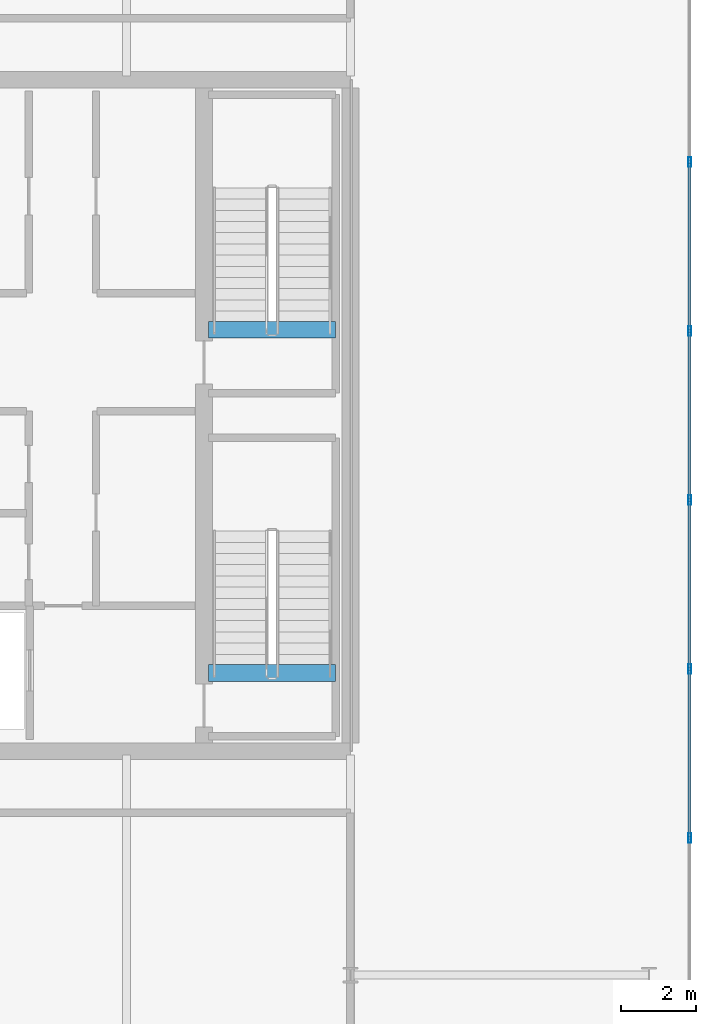
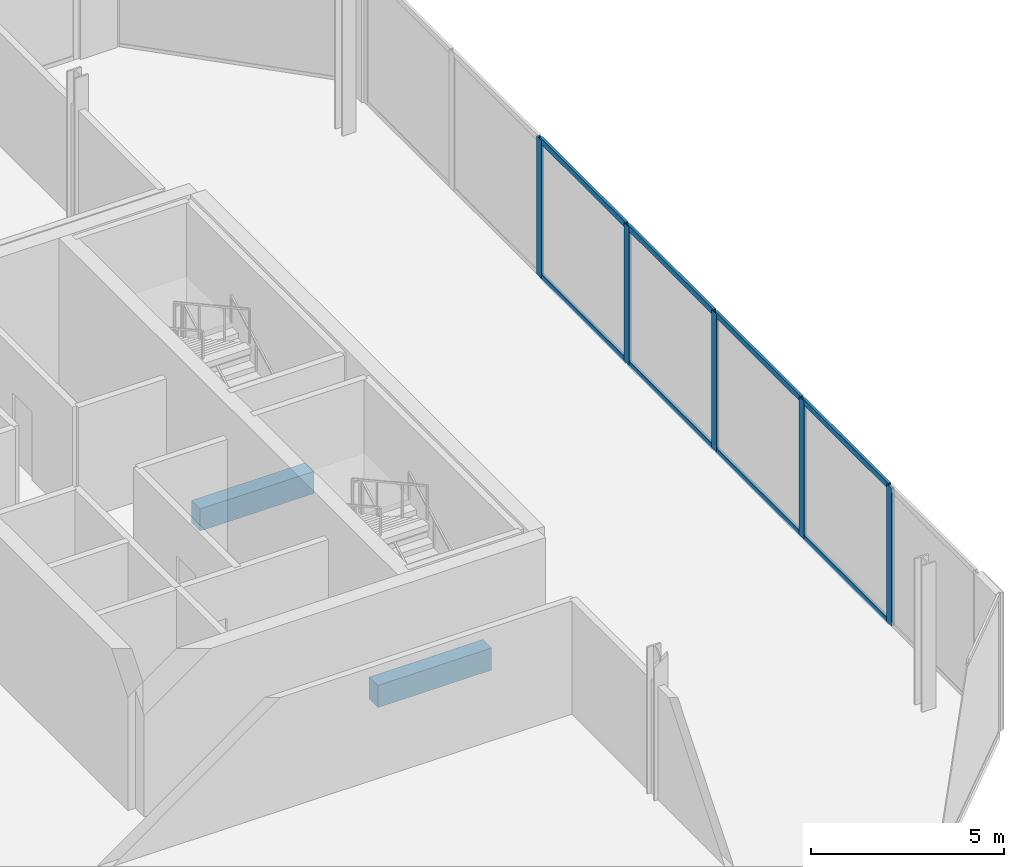
# One storey, part 8 of 16: 13 members, 2 beams, 1 element without a shape of its own.
"""IFC4 building model written with IfcOpenShell, lengths in metres."""

from ifc_helpers import new_model, si_unit, direction, frame, origin, origin_2d, place, context, subcontext, project, spatial, rectangle, hollow_rectangle, extrude, material, layer, layer_set, material_profile, profile_set, type_object, element, aggregate, save


model = new_model("IFC4")

# Units and contexts
model_context = context("Model", 3, precision=1e-05, world=origin(), true_north=direction((0.0, 1.0)))
body_context = subcontext(model_context, "Body", "Model", "MODEL_VIEW")
ifc_project = project(units=[si_unit("LENGTHUNIT", "METRE"), si_unit("AREAUNIT", "SQUARE_METRE"), si_unit("VOLUMEUNIT", "CUBIC_METRE"), si_unit("PLANEANGLEUNIT", "RADIAN"), si_unit("MASSUNIT", "GRAM", prefix="KILO")], contexts=[model_context])

# Site, building, storey
site_placement = place(None, origin())
site = spatial("IfcSite", under=ifc_project, at=site_placement, CompositionType="ELEMENT")
building_placement = place(site_placement, origin())
building = spatial("IfcBuilding", under=site, at=building_placement, Name="Tanjung Sevakor Pilgrim Tower", CompositionType="ELEMENT")
storey_placement = place(building_placement, frame((0.0, 0.0, 283.139892578125)))
storey = spatial("IfcBuildingStorey", under=building, at=storey_placement, Name="L79", CompositionType="ELEMENT", Elevation=283.139892578125)

# Beams
ifc_material_1 = material(Name="Concrete C60/75", Category="concrete")
ifc_material_profile_1 = material_profile(ifc_material_1, rectangle(XDim=0.449951171875, YDim=0.699951171875, at=origin_2d()))
ifc_profile_set_1 = profile_set([ifc_material_profile_1], Name="Concrete C60/75")
beam_type = type_object("IfcBeamType", Name="BM-B-LN3-RC-BM_450x700", PredefinedType="LINTEL", material=ifc_profile_set_1)
for number, where, z_axis, x_axis, name in (
    (1, (86.199951171875, 26.699951171875, -0.349853515625), (1.0, 0.0, 0.0), (0.0, 1.0, 0.0), "L79 TS-E1 Stair Threshold Beam"),
    (2, (86.199951171875, 35.89990234375, -0.349853515625), (1.0, 0.0, 0.0), (0.0, 1.0, 0.0), "L79 TS-E2 Stair Threshold Beam"),
):
    element("IfcBeam", number, at=place(storey_placement, frame(where, z_axis=z_axis, x_axis=x_axis)), inside=storey, type_object=beam_type, Name=name, PredefinedType="LINTEL", context=body_context, shape_type="SweptSolid", body=[
        extrude(rectangle(XDim=0.449951171875, YDim=0.699951171875, at=origin_2d()), origin(), (0.0, 0.0, 1.0), 3.400146484375),
    ])

# Curtain wall, members
ifc_material_2 = material(Name="Aluminium 6063-T6 and Low-E Glass", Category="aluminium")
ifc_layer = layer(ifc_material_2, 0.219970703125)
ifc_layer_set = layer_set([ifc_layer], Name="CW-SYS-CRNE")
curtain_wall_type = type_object("IfcCurtainWallType", Name="CW-SYS-CRNE", PredefinedType="NOTDEFINED", material=ifc_layer_set)
curtain_wall_placement = place(storey_placement, origin())
curtain_wall = element("IfcCurtainWall", 3, at=curtain_wall_placement, inside=storey, type_object=curtain_wall_type, Name="L79 Curtain Wall CW-CRN-L79-EAST-2-1", PredefinedType="NOTDEFINED")
ifc_material_3 = material(Name="Aluminium 6063-T6", Category="aluminium")
ifc_material_profile_2 = material_profile(ifc_material_3, hollow_rectangle(XDim=0.080078125, YDim=0.260009765625, WallThickness=0.0048828125, at=origin_2d()))
ifc_profile_set_2 = profile_set([ifc_material_profile_2], Name="Aluminium 6063-T6")
member_type_1 = type_object("IfcMemberType", Name="TYPE-CWM-3", PredefinedType="MULLION", material=ifc_profile_set_2)
member_1_placement = place(storey_placement, frame((99.090087890625, 22.275390625, 0.0), z_axis=(0.0, 0.0, 1.0), x_axis=(-1.0, 0.0, 0.0)))
member_1 = element("IfcMember", 4, at=member_1_placement, type_object=member_type_1, Name="CW-CRE mullion 2", PredefinedType="MULLION", context=body_context, shape_type="SweptSolid", body=[
    extrude(hollow_rectangle(XDim=0.080078125, YDim=0.260009765625, WallThickness=0.0048828125, at=origin_2d()), origin(), (0.0, 0.0, 1.0), 4.360107421875),
])
member_2_placement = place(storey_placement, frame((99.090087890625, 26.80517578125, 0.0), z_axis=(0.0, 0.0, 1.0), x_axis=(-1.0, 0.0, 0.0)))
member_2 = element("IfcMember", 5, at=member_2_placement, type_object=member_type_1, Name="CW-CRE mullion 3", PredefinedType="MULLION", context=body_context, shape_type="SweptSolid", body=[
    extrude(hollow_rectangle(XDim=0.080078125, YDim=0.260009765625, WallThickness=0.0048828125, at=origin_2d()), origin(), (0.0, 0.0, 1.0), 4.360107421875),
])
member_3_placement = place(storey_placement, frame((99.090087890625, 31.335205078125, 0.0), z_axis=(0.0, 0.0, 1.0), x_axis=(-1.0, 0.0, 0.0)))
member_3 = element("IfcMember", 6, at=member_3_placement, type_object=member_type_1, Name="CW-CRE mullion 4", PredefinedType="MULLION", context=body_context, shape_type="SweptSolid", body=[
    extrude(hollow_rectangle(XDim=0.080078125, YDim=0.260009765625, WallThickness=0.0048828125, at=origin_2d()), origin(), (0.0, 0.0, 1.0), 4.360107421875),
])
member_4_placement = place(storey_placement, frame((99.090087890625, 35.864990234375, 0.0), z_axis=(0.0, 0.0, 1.0), x_axis=(-1.0, 0.0, 0.0)))
member_4 = element("IfcMember", 7, at=member_4_placement, type_object=member_type_1, Name="CW-CRE mullion 5", PredefinedType="MULLION", context=body_context, shape_type="SweptSolid", body=[
    extrude(hollow_rectangle(XDim=0.080078125, YDim=0.260009765625, WallThickness=0.0048828125, at=origin_2d()), origin(), (0.0, 0.0, 1.0), 4.360107421875),
])
member_5_placement = place(storey_placement, frame((99.090087890625, 40.394775390625, 0.0), z_axis=(0.0, 0.0, 1.0), x_axis=(-1.0, 0.0, 0.0)))
member_5 = element("IfcMember", 8, at=member_5_placement, type_object=member_type_1, Name="CW-CRE mullion 6", PredefinedType="MULLION", context=body_context, shape_type="SweptSolid", body=[
    extrude(hollow_rectangle(XDim=0.080078125, YDim=0.260009765625, WallThickness=0.0048828125, at=origin_2d()), origin(), (0.0, 0.0, 1.0), 4.360107421875),
])
ifc_material_4 = material(Name="Aluminium 6063-T6", Category="aluminium")
ifc_material_profile_3 = material_profile(ifc_material_4, hollow_rectangle(XDim=0.080078125, YDim=0.179931640625, WallThickness=0.0048828125, at=origin_2d()))
ifc_profile_set_3 = profile_set([ifc_material_profile_3], Name="Aluminium 6063-T6")
member_type_2 = type_object("IfcMemberType", Name="TYPE-CWT-3", PredefinedType="USERDEFINED", material=ifc_profile_set_3)
member_6_placement = place(storey_placement, frame((99.090087890625, 22.3154296875, 0.0400390625), z_axis=(0.0, 1.0, 0.0), x_axis=(-1.0, 0.0, 0.0)))
member_6 = element("IfcMember", 9, at=member_6_placement, type_object=member_type_2, Name="CW-CRE transom 2.1", ObjectType="TRANSOM", PredefinedType="USERDEFINED", context=body_context, shape_type="SweptSolid", body=[
    extrude(hollow_rectangle(XDim=0.080078125, YDim=0.179931640625, WallThickness=0.0048828125, at=origin_2d()), origin(), (0.0, 0.0, 1.0), 4.44970703125),
])
member_7_placement = place(storey_placement, frame((99.090087890625, 22.3154296875, 4.320068359375), z_axis=(0.0, 1.0, 0.0), x_axis=(-1.0, 0.0, 0.0)))
member_7 = element("IfcMember", 10, at=member_7_placement, type_object=member_type_2, Name="CW-CRE transom 2.2", ObjectType="TRANSOM", PredefinedType="USERDEFINED", context=body_context, shape_type="SweptSolid", body=[
    extrude(hollow_rectangle(XDim=0.080078125, YDim=0.179931640625, WallThickness=0.0048828125, at=origin_2d()), origin(), (0.0, 0.0, 1.0), 4.44970703125),
])
member_8_placement = place(storey_placement, frame((99.090087890625, 26.84521484375, 0.0400390625), z_axis=(0.0, 1.0, 0.0), x_axis=(-1.0, 0.0, 0.0)))
member_8 = element("IfcMember", 11, at=member_8_placement, type_object=member_type_2, Name="CW-CRE transom 3.1", ObjectType="TRANSOM", PredefinedType="USERDEFINED", context=body_context, shape_type="SweptSolid", body=[
    extrude(hollow_rectangle(XDim=0.080078125, YDim=0.179931640625, WallThickness=0.0048828125, at=origin_2d()), origin(), (0.0, 0.0, 1.0), 4.449951171875),
])
member_9_placement = place(storey_placement, frame((99.090087890625, 26.84521484375, 4.320068359375), z_axis=(0.0, 1.0, 0.0), x_axis=(-1.0, 0.0, 0.0)))
member_9 = element("IfcMember", 12, at=member_9_placement, type_object=member_type_2, Name="CW-CRE transom 3.2", ObjectType="TRANSOM", PredefinedType="USERDEFINED", context=body_context, shape_type="SweptSolid", body=[
    extrude(hollow_rectangle(XDim=0.080078125, YDim=0.179931640625, WallThickness=0.0048828125, at=origin_2d()), origin(), (0.0, 0.0, 1.0), 4.449951171875),
])
member_10_placement = place(storey_placement, frame((99.090087890625, 31.375, 0.0400390625), z_axis=(0.0, 1.0, 0.0), x_axis=(-1.0, 0.0, 0.0)))
member_10 = element("IfcMember", 13, at=member_10_placement, type_object=member_type_2, Name="CW-CRE transom 4.1", ObjectType="TRANSOM", PredefinedType="USERDEFINED", context=body_context, shape_type="SweptSolid", body=[
    extrude(hollow_rectangle(XDim=0.080078125, YDim=0.179931640625, WallThickness=0.0048828125, at=origin_2d()), origin(), (0.0, 0.0, 1.0), 4.449951171875),
])
member_11_placement = place(storey_placement, frame((99.090087890625, 31.375, 4.320068359375), z_axis=(0.0, 1.0, 0.0), x_axis=(-1.0, 0.0, 0.0)))
member_11 = element("IfcMember", 14, at=member_11_placement, type_object=member_type_2, Name="CW-CRE transom 4.2", ObjectType="TRANSOM", PredefinedType="USERDEFINED", context=body_context, shape_type="SweptSolid", body=[
    extrude(hollow_rectangle(XDim=0.080078125, YDim=0.179931640625, WallThickness=0.0048828125, at=origin_2d()), origin(), (0.0, 0.0, 1.0), 4.449951171875),
])
member_12_placement = place(storey_placement, frame((99.090087890625, 35.905029296875, 0.0400390625), z_axis=(0.0, 1.0, 0.0), x_axis=(-1.0, 0.0, 0.0)))
member_12 = element("IfcMember", 15, at=member_12_placement, type_object=member_type_2, Name="CW-CRE transom 5.1", ObjectType="TRANSOM", PredefinedType="USERDEFINED", context=body_context, shape_type="SweptSolid", body=[
    extrude(hollow_rectangle(XDim=0.080078125, YDim=0.179931640625, WallThickness=0.0048828125, at=origin_2d()), origin(), (0.0, 0.0, 1.0), 4.44970703125),
])
member_13_placement = place(storey_placement, frame((99.090087890625, 35.905029296875, 4.320068359375), z_axis=(0.0, 1.0, 0.0), x_axis=(-1.0, 0.0, 0.0)))
member_13 = element("IfcMember", 16, at=member_13_placement, type_object=member_type_2, Name="CW-CRE transom 5.2", ObjectType="TRANSOM", PredefinedType="USERDEFINED", context=body_context, shape_type="SweptSolid", body=[
    extrude(hollow_rectangle(XDim=0.080078125, YDim=0.179931640625, WallThickness=0.0048828125, at=origin_2d()), origin(), (0.0, 0.0, 1.0), 4.44970703125),
])
aggregate(curtain_wall, [member_1, member_2, member_3, member_4, member_5, member_6, member_7, member_8, member_9, member_10, member_11, member_12, member_13])

save(model, "model.ifc")
